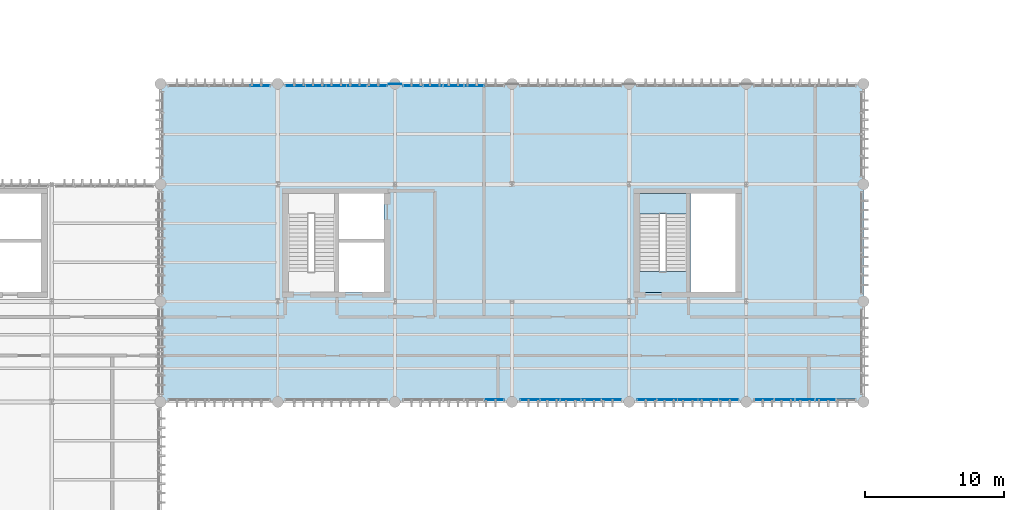
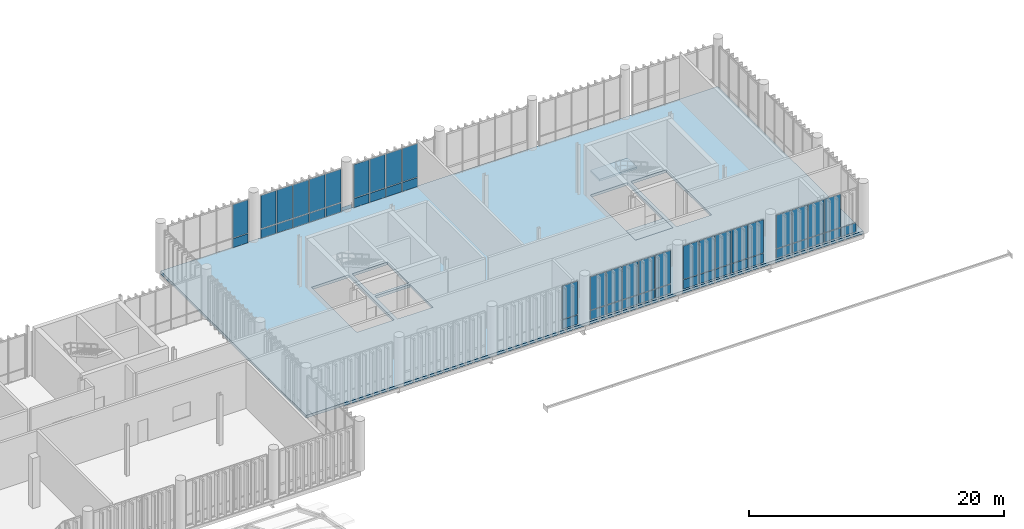
# One storey, part 70 of 94: 52 plates, 3 slabs, 8 elements without a shape of their own.
"""IFC4 building model written with IfcOpenShell, lengths in metres."""

from ifc_helpers import new_model, si_unit, direction, frame, frame_2d, origin_with_axes, origin_2d_with_axis, place, context, subcontext, project, spatial, polyline, rectangle, outline, extrude, material, layer, layer_set, type_object, element, aggregate, save


model = new_model("IFC4")

# Units and contexts
model_context = context("Model", 3, precision=1e-05, world=origin_with_axes(), true_north=direction((0.0, 1.0)))
body_context = subcontext(model_context, "Body", "Model", "MODEL_VIEW")
ifc_project = project(units=[si_unit("LENGTHUNIT", "METRE"), si_unit("AREAUNIT", "SQUARE_METRE"), si_unit("VOLUMEUNIT", "CUBIC_METRE"), si_unit("PLANEANGLEUNIT", "RADIAN"), si_unit("MASSUNIT", "GRAM", prefix="KILO"), si_unit("THERMODYNAMICTEMPERATUREUNIT", "KELVIN")], contexts=[model_context])

# Site, building, storey
site_placement = place(None, origin_with_axes())
site = spatial("IfcSite", under=ifc_project, at=site_placement, CompositionType="ELEMENT")
building_placement = place(site_placement, origin_with_axes())
building = spatial("IfcBuilding", under=site, at=building_placement, Name="Montbau Bow Law Courts", CompositionType="ELEMENT")
storey_placement = place(building_placement, frame((0.0, 0.0, 15.6), z_axis=(0.0, 0.0, 1.0), x_axis=(1.0, 0.0, 0.0)))
storey = spatial("IfcBuildingStorey", under=building, at=storey_placement, Name="L03", CompositionType="ELEMENT", Elevation=15.6)

# Curtain wall, plate
ifc_material_1 = material(Name="Thermally Broken Extruded Aluminium AA 6063-T6", Category="aluminium")
curtain_wall_type = type_object("IfcCurtainWallType", Name="CW-CRM-01", PredefinedType="NOTDEFINED", material=ifc_material_1)
curtain_wall_1_placement = place(None, frame((64.115, 39.14, 15.6), z_axis=(0.0, 0.0, 1.0), x_axis=(1.0, 0.0, 0.0)))
curtain_wall_1 = element("IfcCurtainWall", 1, at=curtain_wall_1_placement, inside=storey, type_object=curtain_wall_type, Name="CW-L03-177:cw_0177", PredefinedType="NOTDEFINED")
ifc_material_2 = material(Name="Triple-Glazed Low-E Argon Insulating Glass Unit", Category="glass")
ifc_layer_1 = layer(ifc_material_2, 0.044, Name="Curtain Panel", Category="glass")
ifc_layer_set_1 = layer_set([ifc_layer_1], Name="Triple-Glazed Low-E Argon Insulating Glass Unit")
plate_type_1 = type_object("IfcPlateType", Name="PL-CWP-01", PredefinedType="CURTAIN_PANEL", material=ifc_layer_set_1)
plate_1_placement = place(None, frame((70.05, 39.14, 16.579), z_axis=(0.0, -1.0, 0.0), x_axis=(1.0, 0.0, 0.0)))
plate_1 = element("IfcPlate", 2, at=plate_1_placement, type_object=plate_type_1, Name="CW-L03-177-P05-2:cw_0177_P05_2", PredefinedType="CURTAIN_PANEL", context=body_context, shape_type="SweptSolid", body=[
    extrude(rectangle(XDim=1.359, YDim=3.185, at=frame_2d((0.6795, 1.5925), x_axis=(1.0, 0.0))), frame((0.0, 0.0, -0.022), z_axis=(0.0, 0.0, 1.0), x_axis=(1.0, 0.0, 0.0)), (0.0, 0.0, 1.0), 0.044),
])

# Curtain wall, plates
curtain_wall_2_placement = place(None, frame((72.515, 39.14, 15.6), z_axis=(0.0, 0.0, 1.0), x_axis=(1.0, 0.0, 0.0)))
curtain_wall_2 = element("IfcCurtainWall", 3, at=curtain_wall_2_placement, inside=storey, type_object=curtain_wall_type, Name="CW-L03-178:cw_0178", PredefinedType="NOTDEFINED")
plate_2_placement = place(None, frame((72.583, 39.14, 16.582), z_axis=(0.0, -1.0, 0.0), x_axis=(1.0, 0.0, 0.0)))
plate_2 = element("IfcPlate", 4, at=plate_2_placement, type_object=plate_type_1, Name="CW-L03-178-P01-2:cw_0178_P01_2", PredefinedType="CURTAIN_PANEL", context=body_context, shape_type="SweptSolid", body=[
    extrude(rectangle(XDim=1.372, YDim=3.176, at=frame_2d((0.686, 1.588), x_axis=(1.0, 0.0))), frame((0.0, 0.0, -0.022), z_axis=(0.0, 0.0, 1.0), x_axis=(1.0, 0.0, 0.0)), (0.0, 0.0, 1.0), 0.044),
])
plate_3_placement = place(None, frame((74.023, 39.14, 16.582), z_axis=(0.0, -1.0, 0.0), x_axis=(1.0, 0.0, 0.0)))
plate_3 = element("IfcPlate", 5, at=plate_3_placement, type_object=plate_type_1, Name="CW-L03-178-P02-2:cw_0178_P02_2", PredefinedType="CURTAIN_PANEL", context=body_context, shape_type="SweptSolid", body=[
    extrude(rectangle(XDim=1.405, YDim=3.176, at=frame_2d((0.7025, 1.588), x_axis=(1.0, 0.0))), frame((0.0, 0.0, -0.022), z_axis=(0.0, 0.0, 1.0), x_axis=(1.0, 0.0, 0.0)), (0.0, 0.0, 1.0), 0.044),
])
plate_4_placement = place(None, frame((75.497, 39.14, 16.582), z_axis=(0.0, -1.0, 0.0), x_axis=(1.0, 0.0, 0.0)))
plate_4 = element("IfcPlate", 6, at=plate_4_placement, type_object=plate_type_1, Name="CW-L03-178-P03-2:cw_0178_P03_2", PredefinedType="CURTAIN_PANEL", context=body_context, shape_type="SweptSolid", body=[
    extrude(rectangle(XDim=1.406, YDim=3.176, at=frame_2d((0.703, 1.588), x_axis=(1.0, 0.0))), frame((0.0, 0.0, -0.022), z_axis=(0.0, 0.0, 1.0), x_axis=(1.0, 0.0, 0.0)), (0.0, 0.0, 1.0), 0.044),
])
plate_5_placement = place(None, frame((76.971, 39.14, 16.582), z_axis=(0.0, -1.0, 0.0), x_axis=(1.0, 0.0, 0.0)))
plate_5 = element("IfcPlate", 7, at=plate_5_placement, type_object=plate_type_1, Name="CW-L03-178-P04-2:cw_0178_P04_2", PredefinedType="CURTAIN_PANEL", context=body_context, shape_type="SweptSolid", body=[
    extrude(rectangle(XDim=1.406, YDim=3.176, at=frame_2d((0.703, 1.588), x_axis=(1.0, 0.0))), frame((0.0, 0.0, -0.022), z_axis=(0.0, 0.0, 1.0), x_axis=(1.0, 0.0, 0.0)), (0.0, 0.0, 1.0), 0.044),
])
plate_6_placement = place(None, frame((78.445, 39.14, 16.582), z_axis=(0.0, -1.0, 0.0), x_axis=(1.0, 0.0, 0.0)))
plate_6 = element("IfcPlate", 8, at=plate_6_placement, type_object=plate_type_1, Name="CW-L03-178-P05-2:cw_0178_P05_2", PredefinedType="CURTAIN_PANEL", context=body_context, shape_type="SweptSolid", body=[
    extrude(rectangle(XDim=1.374, YDim=3.176, at=frame_2d((0.687, 1.588), x_axis=(1.0, 0.0))), frame((0.0, 0.0, -0.022), z_axis=(0.0, 0.0, 1.0), x_axis=(1.0, 0.0, 0.0)), (0.0, 0.0, 1.0), 0.044),
])

curtain_wall_3_placement = place(None, frame((80.915, 39.14, 15.6), z_axis=(0.0, 0.0, 1.0), x_axis=(1.0, 0.0, 0.0)))
curtain_wall_3 = element("IfcCurtainWall", 9, at=curtain_wall_3_placement, inside=storey, type_object=curtain_wall_type, Name="CW-L03-179:cw_0179", PredefinedType="NOTDEFINED")
plate_7_placement = place(None, frame((80.977, 39.14, 16.579), z_axis=(0.0, -1.0, 0.0), x_axis=(1.0, 0.0, 0.0)))
plate_7 = element("IfcPlate", 10, at=plate_7_placement, type_object=plate_type_1, Name="CW-L03-179-P01-2:cw_0179_P01_2", PredefinedType="CURTAIN_PANEL", context=body_context, shape_type="SweptSolid", body=[
    extrude(rectangle(XDim=1.38, YDim=3.185, at=frame_2d((0.69, 1.5925), x_axis=(1.0, 0.0))), frame((0.0, 0.0, -0.022), z_axis=(0.0, 0.0, 1.0), x_axis=(1.0, 0.0, 0.0)), (0.0, 0.0, 1.0), 0.044),
])
plate_8_placement = place(None, frame((82.421, 39.14, 16.579), z_axis=(0.0, -1.0, 0.0), x_axis=(1.0, 0.0, 0.0)))
plate_8 = element("IfcPlate", 11, at=plate_8_placement, type_object=plate_type_1, Name="CW-L03-179-P02-2:cw_0179_P02_2", PredefinedType="CURTAIN_PANEL", context=body_context, shape_type="SweptSolid", body=[
    extrude(rectangle(XDim=1.41, YDim=3.185, at=frame_2d((0.705, 1.5925), x_axis=(1.0, 0.0))), frame((0.0, 0.0, -0.022), z_axis=(0.0, 0.0, 1.0), x_axis=(1.0, 0.0, 0.0)), (0.0, 0.0, 1.0), 0.044),
])
plate_9_placement = place(None, frame((83.895, 39.14, 16.579), z_axis=(0.0, -1.0, 0.0), x_axis=(1.0, 0.0, 0.0)))
plate_9 = element("IfcPlate", 12, at=plate_9_placement, type_object=plate_type_1, Name="CW-L03-179-P03-2:cw_0179_P03_2", PredefinedType="CURTAIN_PANEL", context=body_context, shape_type="SweptSolid", body=[
    extrude(rectangle(XDim=1.41, YDim=3.185, at=frame_2d((0.705, 1.5925), x_axis=(1.0, 0.0))), frame((0.0, 0.0, -0.022), z_axis=(0.0, 0.0, 1.0), x_axis=(1.0, 0.0, 0.0)), (0.0, 0.0, 1.0), 0.044),
])
plate_10_placement = place(None, frame((85.369, 39.14, 16.579), z_axis=(0.0, -1.0, 0.0), x_axis=(1.0, 0.0, 0.0)))
plate_10 = element("IfcPlate", 13, at=plate_10_placement, type_object=plate_type_1, Name="CW-L03-179-P04-2:cw_0179_P04_2", PredefinedType="CURTAIN_PANEL", context=body_context, shape_type="SweptSolid", body=[
    extrude(rectangle(XDim=1.41, YDim=3.185, at=frame_2d((0.705, 1.5925), x_axis=(1.0, 0.0))), frame((0.0, 0.0, -0.022), z_axis=(0.0, 0.0, 1.0), x_axis=(1.0, 0.0, 0.0)), (0.0, 0.0, 1.0), 0.044),
])
plate_11_placement = place(None, frame((86.843, 39.14, 16.579), z_axis=(0.0, -1.0, 0.0), x_axis=(1.0, 0.0, 0.0)))
plate_11 = element("IfcPlate", 14, at=plate_11_placement, type_object=plate_type_1, Name="CW-L03-179-P05-2:cw_0179_P05_2", PredefinedType="CURTAIN_PANEL", context=body_context, shape_type="SweptSolid", body=[
    extrude(rectangle(XDim=1.38, YDim=3.185, at=frame_2d((0.69, 1.5925), x_axis=(1.0, 0.0))), frame((0.0, 0.0, -0.022), z_axis=(0.0, 0.0, 1.0), x_axis=(1.0, 0.0, 0.0)), (0.0, 0.0, 1.0), 0.044),
])

curtain_wall_4_placement = place(None, frame((89.315, 39.14, 15.6), z_axis=(0.0, 0.0, 1.0), x_axis=(1.0, 0.0, 0.0)))
curtain_wall_4 = element("IfcCurtainWall", 15, at=curtain_wall_4_placement, inside=storey, type_object=curtain_wall_type, Name="CW-L03-180:cw_0180", PredefinedType="NOTDEFINED")
plate_12_placement = place(None, frame((89.391, 39.14, 16.582), z_axis=(0.0, -1.0, 0.0), x_axis=(1.0, 0.0, 0.0)))
plate_12 = element("IfcPlate", 16, at=plate_12_placement, type_object=plate_type_1, Name="CW-L03-180-P01-2:cw_0180_P01_2", PredefinedType="CURTAIN_PANEL", context=body_context, shape_type="SweptSolid", body=[
    extrude(rectangle(XDim=1.358, YDim=3.176, at=frame_2d((0.679, 1.588), x_axis=(1.0, 0.0))), frame((0.0, 0.0, -0.022), z_axis=(0.0, 0.0, 1.0), x_axis=(1.0, 0.0, 0.0)), (0.0, 0.0, 1.0), 0.044),
])
plate_13_placement = place(None, frame((90.829, 39.14, 16.582), z_axis=(0.0, -1.0, 0.0), x_axis=(1.0, 0.0, 0.0)))
plate_13 = element("IfcPlate", 17, at=plate_13_placement, type_object=plate_type_1, Name="CW-L03-180-P02-2:cw_0180_P02_2", PredefinedType="CURTAIN_PANEL", context=body_context, shape_type="SweptSolid", body=[
    extrude(rectangle(XDim=1.395, YDim=3.176, at=frame_2d((0.6975, 1.588), x_axis=(1.0, 0.0))), frame((0.0, 0.0, -0.022), z_axis=(0.0, 0.0, 1.0), x_axis=(1.0, 0.0, 0.0)), (0.0, 0.0, 1.0), 0.044),
])
plate_14_placement = place(None, frame((92.302, 39.14, 16.582), z_axis=(0.0, -1.0, 0.0), x_axis=(1.0, 0.0, 0.0)))
plate_14 = element("IfcPlate", 18, at=plate_14_placement, type_object=plate_type_1, Name="CW-L03-180-P03-2:cw_0180_P03_2", PredefinedType="CURTAIN_PANEL", context=body_context, shape_type="SweptSolid", body=[
    extrude(rectangle(XDim=1.396, YDim=3.176, at=frame_2d((0.698, 1.588), x_axis=(1.0, 0.0))), frame((0.0, 0.0, -0.022), z_axis=(0.0, 0.0, 1.0), x_axis=(1.0, 0.0, 0.0)), (0.0, 0.0, 1.0), 0.044),
])
plate_15_placement = place(None, frame((93.776, 39.14, 16.582), z_axis=(0.0, -1.0, 0.0), x_axis=(1.0, 0.0, 0.0)))
plate_15 = element("IfcPlate", 19, at=plate_15_placement, type_object=plate_type_1, Name="CW-L03-180-P04-2:cw_0180_P04_2", PredefinedType="CURTAIN_PANEL", context=body_context, shape_type="SweptSolid", body=[
    extrude(rectangle(XDim=1.396, YDim=3.176, at=frame_2d((0.698, 1.588), x_axis=(1.0, 0.0))), frame((0.0, 0.0, -0.022), z_axis=(0.0, 0.0, 1.0), x_axis=(1.0, 0.0, 0.0)), (0.0, 0.0, 1.0), 0.044),
])

# Curtain wall, plate
curtain_wall_5_placement = place(None, frame((47.315, 61.66, 15.6), z_axis=(0.0, 0.0, 1.0), x_axis=(1.0, 0.0, 0.0)))
curtain_wall_5 = element("IfcCurtainWall", 20, at=curtain_wall_5_placement, inside=storey, type_object=curtain_wall_type, Name="CW-L03-181:cw_0181", PredefinedType="NOTDEFINED")
plate_16_placement = place(None, frame((53.245, 61.66, 16.579), z_axis=(0.0, -1.0, 0.0), x_axis=(1.0, 0.0, 0.0)))
plate_16 = element("IfcPlate", 21, at=plate_16_placement, type_object=plate_type_1, Name="CW-L03-181-P05-2:cw_0181_P05_2", PredefinedType="CURTAIN_PANEL", context=body_context, shape_type="SweptSolid", body=[
    extrude(rectangle(XDim=1.374, YDim=3.185, at=frame_2d((0.687, 1.5925), x_axis=(1.0, 0.0))), frame((0.0, 0.0, -0.022), z_axis=(0.0, 0.0, 1.0), x_axis=(1.0, 0.0, 0.0)), (0.0, 0.0, 1.0), 0.044),
])

# Curtain wall, plates
curtain_wall_6_placement = place(None, frame((55.715, 61.66, 15.6), z_axis=(0.0, 0.0, 1.0), x_axis=(1.0, 0.0, 0.0)))
curtain_wall_6 = element("IfcCurtainWall", 22, at=curtain_wall_6_placement, inside=storey, type_object=curtain_wall_type, Name="CW-L03-182:cw_0182", PredefinedType="NOTDEFINED")
plate_17_placement = place(None, frame((55.777, 61.66, 16.582), z_axis=(0.0, -1.0, 0.0), x_axis=(1.0, 0.0, 0.0)))
plate_17 = element("IfcPlate", 23, at=plate_17_placement, type_object=plate_type_1, Name="CW-L03-182-P01-2:cw_0182_P01_2", PredefinedType="CURTAIN_PANEL", context=body_context, shape_type="SweptSolid", body=[
    extrude(rectangle(XDim=1.38, YDim=3.176, at=frame_2d((0.69, 1.588), x_axis=(1.0, 0.0))), frame((0.0, 0.0, -0.022), z_axis=(0.0, 0.0, 1.0), x_axis=(1.0, 0.0, 0.0)), (0.0, 0.0, 1.0), 0.044),
])
plate_18_placement = place(None, frame((57.221, 61.66, 16.582), z_axis=(0.0, -1.0, 0.0), x_axis=(1.0, 0.0, 0.0)))
plate_18 = element("IfcPlate", 24, at=plate_18_placement, type_object=plate_type_1, Name="CW-L03-182-P02-2:cw_0182_P02_2", PredefinedType="CURTAIN_PANEL", context=body_context, shape_type="SweptSolid", body=[
    extrude(rectangle(XDim=1.41, YDim=3.176, at=frame_2d((0.705, 1.588), x_axis=(1.0, 0.0))), frame((0.0, 0.0, -0.022), z_axis=(0.0, 0.0, 1.0), x_axis=(1.0, 0.0, 0.0)), (0.0, 0.0, 1.0), 0.044),
])
plate_19_placement = place(None, frame((58.695, 61.66, 16.582), z_axis=(0.0, -1.0, 0.0), x_axis=(1.0, 0.0, 0.0)))
plate_19 = element("IfcPlate", 25, at=plate_19_placement, type_object=plate_type_1, Name="CW-L03-182-P03-2:cw_0182_P03_2", PredefinedType="CURTAIN_PANEL", context=body_context, shape_type="SweptSolid", body=[
    extrude(rectangle(XDim=1.41, YDim=3.176, at=frame_2d((0.705, 1.588), x_axis=(1.0, 0.0))), frame((0.0, 0.0, -0.022), z_axis=(0.0, 0.0, 1.0), x_axis=(1.0, 0.0, 0.0)), (0.0, 0.0, 1.0), 0.044),
])
plate_20_placement = place(None, frame((60.169, 61.66, 16.582), z_axis=(0.0, -1.0, 0.0), x_axis=(1.0, 0.0, 0.0)))
plate_20 = element("IfcPlate", 26, at=plate_20_placement, type_object=plate_type_1, Name="CW-L03-182-P04-2:cw_0182_P04_2", PredefinedType="CURTAIN_PANEL", context=body_context, shape_type="SweptSolid", body=[
    extrude(rectangle(XDim=1.41, YDim=3.176, at=frame_2d((0.705, 1.588), x_axis=(1.0, 0.0))), frame((0.0, 0.0, -0.022), z_axis=(0.0, 0.0, 1.0), x_axis=(1.0, 0.0, 0.0)), (0.0, 0.0, 1.0), 0.044),
])
plate_21_placement = place(None, frame((61.643, 61.66, 16.582), z_axis=(0.0, -1.0, 0.0), x_axis=(1.0, 0.0, 0.0)))
plate_21 = element("IfcPlate", 27, at=plate_21_placement, type_object=plate_type_1, Name="CW-L03-182-P05-2:cw_0182_P05_2", PredefinedType="CURTAIN_PANEL", context=body_context, shape_type="SweptSolid", body=[
    extrude(rectangle(XDim=1.38, YDim=3.176, at=frame_2d((0.69, 1.588), x_axis=(1.0, 0.0))), frame((0.0, 0.0, -0.022), z_axis=(0.0, 0.0, 1.0), x_axis=(1.0, 0.0, 0.0)), (0.0, 0.0, 1.0), 0.044),
])

curtain_wall_7_placement = place(None, frame((64.115, 61.66, 15.6), z_axis=(0.0, 0.0, 1.0), x_axis=(1.0, 0.0, 0.0)))
curtain_wall_7 = element("IfcCurtainWall", 28, at=curtain_wall_7_placement, inside=storey, type_object=curtain_wall_type, Name="CW-L03-183:cw_0183", PredefinedType="NOTDEFINED")
plate_22_placement = place(None, frame((64.191, 61.66, 16.579), z_axis=(0.0, -1.0, 0.0), x_axis=(1.0, 0.0, 0.0)))
plate_22 = element("IfcPlate", 29, at=plate_22_placement, type_object=plate_type_1, Name="CW-L03-183-P01-2:cw_0183_P01_2", PredefinedType="CURTAIN_PANEL", context=body_context, shape_type="SweptSolid", body=[
    extrude(rectangle(XDim=1.358, YDim=3.185, at=frame_2d((0.679, 1.5925), x_axis=(1.0, 0.0))), frame((0.0, 0.0, -0.022), z_axis=(0.0, 0.0, 1.0), x_axis=(1.0, 0.0, 0.0)), (0.0, 0.0, 1.0), 0.044),
])
plate_23_placement = place(None, frame((65.629, 61.66, 16.579), z_axis=(0.0, -1.0, 0.0), x_axis=(1.0, 0.0, 0.0)))
plate_23 = element("IfcPlate", 30, at=plate_23_placement, type_object=plate_type_1, Name="CW-L03-183-P02-2:cw_0183_P02_2", PredefinedType="CURTAIN_PANEL", context=body_context, shape_type="SweptSolid", body=[
    extrude(rectangle(XDim=1.395, YDim=3.185, at=frame_2d((0.6975, 1.5925), x_axis=(1.0, 0.0))), frame((0.0, 0.0, -0.022), z_axis=(0.0, 0.0, 1.0), x_axis=(1.0, 0.0, 0.0)), (0.0, 0.0, 1.0), 0.044),
])
plate_24_placement = place(None, frame((67.102, 61.66, 16.579), z_axis=(0.0, -1.0, 0.0), x_axis=(1.0, 0.0, 0.0)))
plate_24 = element("IfcPlate", 31, at=plate_24_placement, type_object=plate_type_1, Name="CW-L03-183-P03-2:cw_0183_P03_2", PredefinedType="CURTAIN_PANEL", context=body_context, shape_type="SweptSolid", body=[
    extrude(rectangle(XDim=1.396, YDim=3.185, at=frame_2d((0.698, 1.5925), x_axis=(1.0, 0.0))), frame((0.0, 0.0, -0.022), z_axis=(0.0, 0.0, 1.0), x_axis=(1.0, 0.0, 0.0)), (0.0, 0.0, 1.0), 0.044),
])
plate_25_placement = place(None, frame((68.576, 61.66, 16.579), z_axis=(0.0, -1.0, 0.0), x_axis=(1.0, 0.0, 0.0)))
plate_25 = element("IfcPlate", 32, at=plate_25_placement, type_object=plate_type_1, Name="CW-L03-183-P04-2:cw_0183_P04_2", PredefinedType="CURTAIN_PANEL", context=body_context, shape_type="SweptSolid", body=[
    extrude(rectangle(XDim=1.396, YDim=3.185, at=frame_2d((0.698, 1.5925), x_axis=(1.0, 0.0))), frame((0.0, 0.0, -0.022), z_axis=(0.0, 0.0, 1.0), x_axis=(1.0, 0.0, 0.0)), (0.0, 0.0, 1.0), 0.044),
])

# Plate
ifc_material_3 = material(Name="Insulated Ceramic-Frit Spandrel Glazing Unit", Category="glass")
ifc_layer_2 = layer(ifc_material_3, 0.056, Name="Curtain Panel", Category="glass")
ifc_layer_set_2 = layer_set([ifc_layer_2], Name="Insulated Ceramic-Frit Spandrel Glazing Unit")
plate_type_2 = type_object("IfcPlateType", Name="PL-CWP-02", PredefinedType="CURTAIN_PANEL", material=ifc_layer_set_2)
plate_26_placement = place(None, frame((70.05, 39.14, 15.657), z_axis=(0.0, -1.0, 0.0), x_axis=(1.0, 0.0, 0.0)))
plate_26 = element("IfcPlate", 33, at=plate_26_placement, type_object=plate_type_2, Name="CW-L03-177-P05-1:cw_0177_P05_1", PredefinedType="CURTAIN_PANEL", context=body_context, shape_type="SweptSolid", body=[
    extrude(rectangle(XDim=1.359, YDim=0.864, at=frame_2d((0.6795, 0.432), x_axis=(1.0, 0.0))), frame((0.0, 0.0, -0.028), z_axis=(0.0, 0.0, 1.0), x_axis=(1.0, 0.0, 0.0)), (0.0, 0.0, 1.0), 0.056),
])

aggregate(curtain_wall_1, [plate_26, plate_1])

plate_27_placement = place(None, frame((72.583, 39.14, 15.662), z_axis=(0.0, -1.0, 0.0), x_axis=(1.0, 0.0, 0.0)))
plate_27 = element("IfcPlate", 34, at=plate_27_placement, type_object=plate_type_2, Name="CW-L03-178-P01-1:cw_0178_P01_1", PredefinedType="CURTAIN_PANEL", context=body_context, shape_type="SweptSolid", body=[
    extrude(rectangle(XDim=1.372, YDim=0.856, at=frame_2d((0.686, 0.428), x_axis=(1.0, 0.0))), frame((0.0, 0.0, -0.028), z_axis=(0.0, 0.0, 1.0), x_axis=(1.0, 0.0, 0.0)), (0.0, 0.0, 1.0), 0.056),
])

plate_28_placement = place(None, frame((74.023, 39.14, 15.662), z_axis=(0.0, -1.0, 0.0), x_axis=(1.0, 0.0, 0.0)))
plate_28 = element("IfcPlate", 35, at=plate_28_placement, type_object=plate_type_2, Name="CW-L03-178-P02-1:cw_0178_P02_1", PredefinedType="CURTAIN_PANEL", context=body_context, shape_type="SweptSolid", body=[
    extrude(rectangle(XDim=1.405, YDim=0.856, at=frame_2d((0.7025, 0.428), x_axis=(1.0, 0.0))), frame((0.0, 0.0, -0.028), z_axis=(0.0, 0.0, 1.0), x_axis=(1.0, 0.0, 0.0)), (0.0, 0.0, 1.0), 0.056),
])

plate_29_placement = place(None, frame((75.497, 39.14, 15.662), z_axis=(0.0, -1.0, 0.0), x_axis=(1.0, 0.0, 0.0)))
plate_29 = element("IfcPlate", 36, at=plate_29_placement, type_object=plate_type_2, Name="CW-L03-178-P03-1:cw_0178_P03_1", PredefinedType="CURTAIN_PANEL", context=body_context, shape_type="SweptSolid", body=[
    extrude(rectangle(XDim=1.406, YDim=0.856, at=frame_2d((0.703, 0.428), x_axis=(1.0, 0.0))), frame((0.0, 0.0, -0.028), z_axis=(0.0, 0.0, 1.0), x_axis=(1.0, 0.0, 0.0)), (0.0, 0.0, 1.0), 0.056),
])

plate_30_placement = place(None, frame((76.971, 39.14, 15.662), z_axis=(0.0, -1.0, 0.0), x_axis=(1.0, 0.0, 0.0)))
plate_30 = element("IfcPlate", 37, at=plate_30_placement, type_object=plate_type_2, Name="CW-L03-178-P04-1:cw_0178_P04_1", PredefinedType="CURTAIN_PANEL", context=body_context, shape_type="SweptSolid", body=[
    extrude(rectangle(XDim=1.406, YDim=0.856, at=frame_2d((0.703, 0.428), x_axis=(1.0, 0.0))), frame((0.0, 0.0, -0.028), z_axis=(0.0, 0.0, 1.0), x_axis=(1.0, 0.0, 0.0)), (0.0, 0.0, 1.0), 0.056),
])

plate_31_placement = place(None, frame((78.445, 39.14, 15.662), z_axis=(0.0, -1.0, 0.0), x_axis=(1.0, 0.0, 0.0)))
plate_31 = element("IfcPlate", 38, at=plate_31_placement, type_object=plate_type_2, Name="CW-L03-178-P05-1:cw_0178_P05_1", PredefinedType="CURTAIN_PANEL", context=body_context, shape_type="SweptSolid", body=[
    extrude(rectangle(XDim=1.374, YDim=0.856, at=frame_2d((0.687, 0.428), x_axis=(1.0, 0.0))), frame((0.0, 0.0, -0.028), z_axis=(0.0, 0.0, 1.0), x_axis=(1.0, 0.0, 0.0)), (0.0, 0.0, 1.0), 0.056),
])

aggregate(curtain_wall_2, [plate_27, plate_2, plate_28, plate_3, plate_29, plate_4, plate_30, plate_5, plate_31, plate_6])

plate_32_placement = place(None, frame((80.977, 39.14, 15.657), z_axis=(0.0, -1.0, 0.0), x_axis=(1.0, 0.0, 0.0)))
plate_32 = element("IfcPlate", 39, at=plate_32_placement, type_object=plate_type_2, Name="CW-L03-179-P01-1:cw_0179_P01_1", PredefinedType="CURTAIN_PANEL", context=body_context, shape_type="SweptSolid", body=[
    extrude(rectangle(XDim=1.38, YDim=0.864, at=frame_2d((0.69, 0.432), x_axis=(1.0, 0.0))), frame((0.0, 0.0, -0.028), z_axis=(0.0, 0.0, 1.0), x_axis=(1.0, 0.0, 0.0)), (0.0, 0.0, 1.0), 0.056),
])

plate_33_placement = place(None, frame((82.421, 39.14, 15.657), z_axis=(0.0, -1.0, 0.0), x_axis=(1.0, 0.0, 0.0)))
plate_33 = element("IfcPlate", 40, at=plate_33_placement, type_object=plate_type_2, Name="CW-L03-179-P02-1:cw_0179_P02_1", PredefinedType="CURTAIN_PANEL", context=body_context, shape_type="SweptSolid", body=[
    extrude(rectangle(XDim=1.41, YDim=0.864, at=frame_2d((0.705, 0.432), x_axis=(1.0, 0.0))), frame((0.0, 0.0, -0.028), z_axis=(0.0, 0.0, 1.0), x_axis=(1.0, 0.0, 0.0)), (0.0, 0.0, 1.0), 0.056),
])

plate_34_placement = place(None, frame((83.895, 39.14, 15.657), z_axis=(0.0, -1.0, 0.0), x_axis=(1.0, 0.0, 0.0)))
plate_34 = element("IfcPlate", 41, at=plate_34_placement, type_object=plate_type_2, Name="CW-L03-179-P03-1:cw_0179_P03_1", PredefinedType="CURTAIN_PANEL", context=body_context, shape_type="SweptSolid", body=[
    extrude(rectangle(XDim=1.41, YDim=0.864, at=frame_2d((0.705, 0.432), x_axis=(1.0, 0.0))), frame((0.0, 0.0, -0.028), z_axis=(0.0, 0.0, 1.0), x_axis=(1.0, 0.0, 0.0)), (0.0, 0.0, 1.0), 0.056),
])

plate_35_placement = place(None, frame((85.369, 39.14, 15.657), z_axis=(0.0, -1.0, 0.0), x_axis=(1.0, 0.0, 0.0)))
plate_35 = element("IfcPlate", 42, at=plate_35_placement, type_object=plate_type_2, Name="CW-L03-179-P04-1:cw_0179_P04_1", PredefinedType="CURTAIN_PANEL", context=body_context, shape_type="SweptSolid", body=[
    extrude(rectangle(XDim=1.41, YDim=0.864, at=frame_2d((0.705, 0.432), x_axis=(1.0, 0.0))), frame((0.0, 0.0, -0.028), z_axis=(0.0, 0.0, 1.0), x_axis=(1.0, 0.0, 0.0)), (0.0, 0.0, 1.0), 0.056),
])

plate_36_placement = place(None, frame((86.843, 39.14, 15.657), z_axis=(0.0, -1.0, 0.0), x_axis=(1.0, 0.0, 0.0)))
plate_36 = element("IfcPlate", 43, at=plate_36_placement, type_object=plate_type_2, Name="CW-L03-179-P05-1:cw_0179_P05_1", PredefinedType="CURTAIN_PANEL", context=body_context, shape_type="SweptSolid", body=[
    extrude(rectangle(XDim=1.38, YDim=0.864, at=frame_2d((0.69, 0.432), x_axis=(1.0, 0.0))), frame((0.0, 0.0, -0.028), z_axis=(0.0, 0.0, 1.0), x_axis=(1.0, 0.0, 0.0)), (0.0, 0.0, 1.0), 0.056),
])

aggregate(curtain_wall_3, [plate_32, plate_7, plate_33, plate_8, plate_34, plate_9, plate_35, plate_10, plate_36, plate_11])

plate_37_placement = place(None, frame((89.391, 39.14, 15.662), z_axis=(0.0, -1.0, 0.0), x_axis=(1.0, 0.0, 0.0)))
plate_37 = element("IfcPlate", 44, at=plate_37_placement, type_object=plate_type_2, Name="CW-L03-180-P01-1:cw_0180_P01_1", PredefinedType="CURTAIN_PANEL", context=body_context, shape_type="SweptSolid", body=[
    extrude(rectangle(XDim=1.358, YDim=0.856, at=frame_2d((0.679, 0.428), x_axis=(1.0, 0.0))), frame((0.0, 0.0, -0.028), z_axis=(0.0, 0.0, 1.0), x_axis=(1.0, 0.0, 0.0)), (0.0, 0.0, 1.0), 0.056),
])

plate_38_placement = place(None, frame((90.829, 39.14, 15.662), z_axis=(0.0, -1.0, 0.0), x_axis=(1.0, 0.0, 0.0)))
plate_38 = element("IfcPlate", 45, at=plate_38_placement, type_object=plate_type_2, Name="CW-L03-180-P02-1:cw_0180_P02_1", PredefinedType="CURTAIN_PANEL", context=body_context, shape_type="SweptSolid", body=[
    extrude(rectangle(XDim=1.395, YDim=0.856, at=frame_2d((0.6975, 0.428), x_axis=(1.0, 0.0))), frame((0.0, 0.0, -0.028), z_axis=(0.0, 0.0, 1.0), x_axis=(1.0, 0.0, 0.0)), (0.0, 0.0, 1.0), 0.056),
])

plate_39_placement = place(None, frame((92.302, 39.14, 15.662), z_axis=(0.0, -1.0, 0.0), x_axis=(1.0, 0.0, 0.0)))
plate_39 = element("IfcPlate", 46, at=plate_39_placement, type_object=plate_type_2, Name="CW-L03-180-P03-1:cw_0180_P03_1", PredefinedType="CURTAIN_PANEL", context=body_context, shape_type="SweptSolid", body=[
    extrude(rectangle(XDim=1.396, YDim=0.856, at=frame_2d((0.698, 0.428), x_axis=(1.0, 0.0))), frame((0.0, 0.0, -0.028), z_axis=(0.0, 0.0, 1.0), x_axis=(1.0, 0.0, 0.0)), (0.0, 0.0, 1.0), 0.056),
])

plate_40_placement = place(None, frame((93.776, 39.14, 15.662), z_axis=(0.0, -1.0, 0.0), x_axis=(1.0, 0.0, 0.0)))
plate_40 = element("IfcPlate", 47, at=plate_40_placement, type_object=plate_type_2, Name="CW-L03-180-P04-1:cw_0180_P04_1", PredefinedType="CURTAIN_PANEL", context=body_context, shape_type="SweptSolid", body=[
    extrude(rectangle(XDim=1.396, YDim=0.856, at=frame_2d((0.698, 0.428), x_axis=(1.0, 0.0))), frame((0.0, 0.0, -0.028), z_axis=(0.0, 0.0, 1.0), x_axis=(1.0, 0.0, 0.0)), (0.0, 0.0, 1.0), 0.056),
])

plate_41_placement = place(None, frame((95.25, 39.14, 15.662), z_axis=(0.0, -1.0, 0.0), x_axis=(1.0, 0.0, 0.0)))
plate_41 = element("IfcPlate", 48, at=plate_41_placement, type_object=plate_type_2, Name="CW-L03-180-P05-1:cw_0180_P05_1", PredefinedType="CURTAIN_PANEL", context=body_context, shape_type="SweptSolid", body=[
    extrude(rectangle(XDim=1.359, YDim=0.856, at=frame_2d((0.6795, 0.428), x_axis=(1.0, 0.0))), frame((0.0, 0.0, -0.028), z_axis=(0.0, 0.0, 1.0), x_axis=(1.0, 0.0, 0.0)), (0.0, 0.0, 1.0), 0.056),
])

aggregate(curtain_wall_4, [plate_37, plate_12, plate_38, plate_13, plate_39, plate_14, plate_40, plate_15, plate_41])

plate_42_placement = place(None, frame((53.245, 61.66, 15.657), z_axis=(0.0, -1.0, 0.0), x_axis=(1.0, 0.0, 0.0)))
plate_42 = element("IfcPlate", 49, at=plate_42_placement, type_object=plate_type_2, Name="CW-L03-181-P05-1:cw_0181_P05_1", PredefinedType="CURTAIN_PANEL", context=body_context, shape_type="SweptSolid", body=[
    extrude(rectangle(XDim=1.374, YDim=0.864, at=frame_2d((0.687, 0.432), x_axis=(1.0, 0.0))), frame((0.0, 0.0, -0.028), z_axis=(0.0, 0.0, 1.0), x_axis=(1.0, 0.0, 0.0)), (0.0, 0.0, 1.0), 0.056),
])

aggregate(curtain_wall_5, [plate_42, plate_16])

plate_43_placement = place(None, frame((55.777, 61.66, 15.662), z_axis=(0.0, -1.0, 0.0), x_axis=(1.0, 0.0, 0.0)))
plate_43 = element("IfcPlate", 50, at=plate_43_placement, type_object=plate_type_2, Name="CW-L03-182-P01-1:cw_0182_P01_1", PredefinedType="CURTAIN_PANEL", context=body_context, shape_type="SweptSolid", body=[
    extrude(rectangle(XDim=1.38, YDim=0.856, at=frame_2d((0.69, 0.428), x_axis=(1.0, 0.0))), frame((0.0, 0.0, -0.028), z_axis=(0.0, 0.0, 1.0), x_axis=(1.0, 0.0, 0.0)), (0.0, 0.0, 1.0), 0.056),
])

plate_44_placement = place(None, frame((57.221, 61.66, 15.662), z_axis=(0.0, -1.0, 0.0), x_axis=(1.0, 0.0, 0.0)))
plate_44 = element("IfcPlate", 51, at=plate_44_placement, type_object=plate_type_2, Name="CW-L03-182-P02-1:cw_0182_P02_1", PredefinedType="CURTAIN_PANEL", context=body_context, shape_type="SweptSolid", body=[
    extrude(rectangle(XDim=1.41, YDim=0.856, at=frame_2d((0.705, 0.428), x_axis=(1.0, 0.0))), frame((0.0, 0.0, -0.028), z_axis=(0.0, 0.0, 1.0), x_axis=(1.0, 0.0, 0.0)), (0.0, 0.0, 1.0), 0.056),
])

plate_45_placement = place(None, frame((58.695, 61.66, 15.662), z_axis=(0.0, -1.0, 0.0), x_axis=(1.0, 0.0, 0.0)))
plate_45 = element("IfcPlate", 52, at=plate_45_placement, type_object=plate_type_2, Name="CW-L03-182-P03-1:cw_0182_P03_1", PredefinedType="CURTAIN_PANEL", context=body_context, shape_type="SweptSolid", body=[
    extrude(rectangle(XDim=1.41, YDim=0.856, at=frame_2d((0.705, 0.428), x_axis=(1.0, 0.0))), frame((0.0, 0.0, -0.028), z_axis=(0.0, 0.0, 1.0), x_axis=(1.0, 0.0, 0.0)), (0.0, 0.0, 1.0), 0.056),
])

plate_46_placement = place(None, frame((60.169, 61.66, 15.662), z_axis=(0.0, -1.0, 0.0), x_axis=(1.0, 0.0, 0.0)))
plate_46 = element("IfcPlate", 53, at=plate_46_placement, type_object=plate_type_2, Name="CW-L03-182-P04-1:cw_0182_P04_1", PredefinedType="CURTAIN_PANEL", context=body_context, shape_type="SweptSolid", body=[
    extrude(rectangle(XDim=1.41, YDim=0.856, at=frame_2d((0.705, 0.428), x_axis=(1.0, 0.0))), frame((0.0, 0.0, -0.028), z_axis=(0.0, 0.0, 1.0), x_axis=(1.0, 0.0, 0.0)), (0.0, 0.0, 1.0), 0.056),
])

plate_47_placement = place(None, frame((61.643, 61.66, 15.662), z_axis=(0.0, -1.0, 0.0), x_axis=(1.0, 0.0, 0.0)))
plate_47 = element("IfcPlate", 54, at=plate_47_placement, type_object=plate_type_2, Name="CW-L03-182-P05-1:cw_0182_P05_1", PredefinedType="CURTAIN_PANEL", context=body_context, shape_type="SweptSolid", body=[
    extrude(rectangle(XDim=1.38, YDim=0.856, at=frame_2d((0.69, 0.428), x_axis=(1.0, 0.0))), frame((0.0, 0.0, -0.028), z_axis=(0.0, 0.0, 1.0), x_axis=(1.0, 0.0, 0.0)), (0.0, 0.0, 1.0), 0.056),
])

aggregate(curtain_wall_6, [plate_43, plate_17, plate_44, plate_18, plate_45, plate_19, plate_46, plate_20, plate_47, plate_21])

plate_48_placement = place(None, frame((64.191, 61.66, 15.657), z_axis=(0.0, -1.0, 0.0), x_axis=(1.0, 0.0, 0.0)))
plate_48 = element("IfcPlate", 55, at=plate_48_placement, type_object=plate_type_2, Name="CW-L03-183-P01-1:cw_0183_P01_1", PredefinedType="CURTAIN_PANEL", context=body_context, shape_type="SweptSolid", body=[
    extrude(rectangle(XDim=1.358, YDim=0.864, at=frame_2d((0.679, 0.432), x_axis=(1.0, 0.0))), frame((0.0, 0.0, -0.028), z_axis=(0.0, 0.0, 1.0), x_axis=(1.0, 0.0, 0.0)), (0.0, 0.0, 1.0), 0.056),
])

plate_49_placement = place(None, frame((65.629, 61.66, 15.657), z_axis=(0.0, -1.0, 0.0), x_axis=(1.0, 0.0, 0.0)))
plate_49 = element("IfcPlate", 56, at=plate_49_placement, type_object=plate_type_2, Name="CW-L03-183-P02-1:cw_0183_P02_1", PredefinedType="CURTAIN_PANEL", context=body_context, shape_type="SweptSolid", body=[
    extrude(rectangle(XDim=1.395, YDim=0.864, at=frame_2d((0.6975, 0.432), x_axis=(1.0, 0.0))), frame((0.0, 0.0, -0.028), z_axis=(0.0, 0.0, 1.0), x_axis=(1.0, 0.0, 0.0)), (0.0, 0.0, 1.0), 0.056),
])

plate_50_placement = place(None, frame((67.102, 61.66, 15.657), z_axis=(0.0, -1.0, 0.0), x_axis=(1.0, 0.0, 0.0)))
plate_50 = element("IfcPlate", 57, at=plate_50_placement, type_object=plate_type_2, Name="CW-L03-183-P03-1:cw_0183_P03_1", PredefinedType="CURTAIN_PANEL", context=body_context, shape_type="SweptSolid", body=[
    extrude(rectangle(XDim=1.396, YDim=0.864, at=frame_2d((0.698, 0.432), x_axis=(1.0, 0.0))), frame((0.0, 0.0, -0.028), z_axis=(0.0, 0.0, 1.0), x_axis=(1.0, 0.0, 0.0)), (0.0, 0.0, 1.0), 0.056),
])

plate_51_placement = place(None, frame((68.576, 61.66, 15.657), z_axis=(0.0, -1.0, 0.0), x_axis=(1.0, 0.0, 0.0)))
plate_51 = element("IfcPlate", 58, at=plate_51_placement, type_object=plate_type_2, Name="CW-L03-183-P04-1:cw_0183_P04_1", PredefinedType="CURTAIN_PANEL", context=body_context, shape_type="SweptSolid", body=[
    extrude(rectangle(XDim=1.396, YDim=0.864, at=frame_2d((0.698, 0.432), x_axis=(1.0, 0.0))), frame((0.0, 0.0, -0.028), z_axis=(0.0, 0.0, 1.0), x_axis=(1.0, 0.0, 0.0)), (0.0, 0.0, 1.0), 0.056),
])

aggregate(curtain_wall_7, [plate_48, plate_22, plate_49, plate_23, plate_50, plate_24, plate_51, plate_25])

ifc_material_4 = material(Name="Steel CSA G40.21 Grade 350WT (350 MPa)", Category="steel")
ifc_layer_3 = layer(ifc_material_4, 0.032, Name="Gusset Plate", Category="steel")
ifc_layer_set_3 = layer_set([ifc_layer_3], Name="Steel CSA G40.21 Grade 350WT (350 MPa)")
plate_type_3 = type_object("IfcPlateType", Name="PL-GUS-01", PredefinedType="USERDEFINED", material=ifc_layer_set_3)
plate_52_placement = place(None, frame((63.6, 61.8, 15.37), z_axis=(0.0, 0.0, 1.0), x_axis=(1.0, 0.0, 0.0)))
element("IfcPlate", 59, at=plate_52_placement, inside=storey, type_object=plate_type_3, Name="BGP-L03-132:plt_0163", ObjectType="GUSSET_PLATE", PredefinedType="USERDEFINED", context=body_context, shape_type="SweptSolid", body=[
    extrude(rectangle(XDim=0.9, YDim=0.032, at=origin_2d_with_axis()), origin_with_axes(), (0.0, 0.0, 1.0), 0.56),
])

# Slab
ifc_material_5 = material(Name="Concrete CSA A23.1 f'c 40 MPa", Category="concrete")
ifc_layer_4 = layer(ifc_material_5, 0.26, Name="Floor Slab", Category="concrete")
ifc_layer_set_4 = layer_set([ifc_layer_4], Name="Concrete CSA A23.1 f'c 40 MPa")
slab_type_1 = type_object("IfcSlabType", Name="SL-FLR-04", PredefinedType="FLOOR", material=ifc_layer_set_4)
slab_1_placement = place(None, frame((0.0, 0.0, 15.34), z_axis=(0.0, 0.0, 1.0), x_axis=(1.0, 0.0, 0.0)))
element("IfcSlab", 60, at=slab_1_placement, inside=storey, type_object=slab_type_1, Name="SL-V3-L03:slb_0018", PredefinedType="FLOOR", context=body_context, shape_type="SweptSolid", body=[
    extrude(outline(polyline([(46.8, 39.0), (97.2, 39.0), (97.2, 61.8), (46.8, 61.8), (46.8, 39.0)]), holes=[polyline([(55.92, 46.858), (59.3, 46.858), (59.3, 53.96), (55.92, 53.96), (55.92, 46.858)]), polyline([(59.6, 46.84), (62.81, 46.84), (62.81, 50.422), (59.6, 50.422), (59.6, 46.84)]), polyline([(59.6, 50.662), (62.81, 50.662), (62.81, 53.96), (59.6, 53.96), (59.6, 50.662)]), polyline([(81.12, 46.858), (84.5, 46.858), (84.5, 53.96), (81.12, 53.96), (81.12, 46.858)]), polyline([(84.8, 46.84), (88.01, 46.84), (88.01, 53.96), (84.8, 53.96), (84.8, 46.84)])]), origin_with_axes(), (0.0, 0.0, 1.0), 0.26),
])

# Stair, slabs
stair_type = type_object("IfcStairType", Name="ST-PUB-1800", PredefinedType="HALF_TURN_STAIR", material=ifc_material_5)
stair_placement = place(None, frame((81.905, 48.3, 15.6), z_axis=(0.0, 0.0, 1.0), x_axis=(1.0, 0.0, 0.0)))
stair = element("IfcStair", 61, at=stair_placement, inside=storey, type_object=stair_type, Name="ST-P3-L03:str_0029", PredefinedType="HALF_TURN_STAIR")
ifc_layer_5 = layer(ifc_material_5, 0.18, Name="Landing", Category="concrete")
ifc_layer_set_5 = layer_set([ifc_layer_5], Name="Concrete CSA A23.1 f'c 40 MPa")
slab_type_2 = type_object("IfcSlabType", Name="SL-LND-01", PredefinedType="LANDING", material=ifc_layer_set_5)
slab_2_placement = place(None, frame((0.0, 0.0, 15.42), z_axis=(0.0, 0.0, 1.0), x_axis=(1.0, 0.0, 0.0)))
slab_2 = element("IfcSlab", 62, at=slab_2_placement, type_object=slab_type_2, Name="ST-P3-L03-LB:str_0029_LB", PredefinedType="LANDING", context=body_context, shape_type="SweptSolid", body=[
    extrude(outline(polyline([(81.12, 46.84), (84.5, 46.84), (84.5, 48.34), (81.12, 48.34), (81.12, 46.84)])), origin_with_axes(), (0.0, 0.0, 1.0), 0.18),
])
slab_3_placement = place(None, frame((0.0, 0.0, 17.82), z_axis=(0.0, 0.0, 1.0), x_axis=(1.0, 0.0, 0.0)))
slab_3 = element("IfcSlab", 63, at=slab_3_placement, type_object=slab_type_2, Name="ST-P3-L03-LM:str_0029_LM", PredefinedType="LANDING", context=body_context, shape_type="SweptSolid", body=[
    extrude(outline(polyline([(81.12, 52.46), (84.5, 52.46), (84.5, 53.93), (81.12, 53.93), (81.12, 52.46)])), origin_with_axes(), (0.0, 0.0, 1.0), 0.18),
])
aggregate(stair, [slab_2, slab_3])

save(model, "model.ifc")
